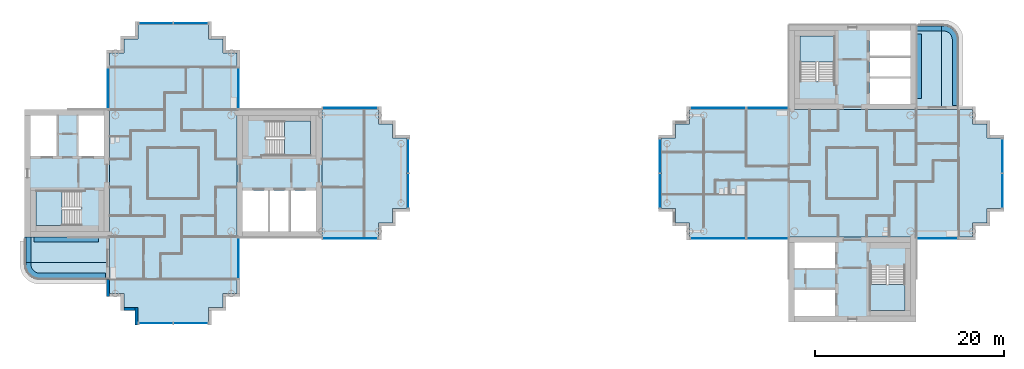
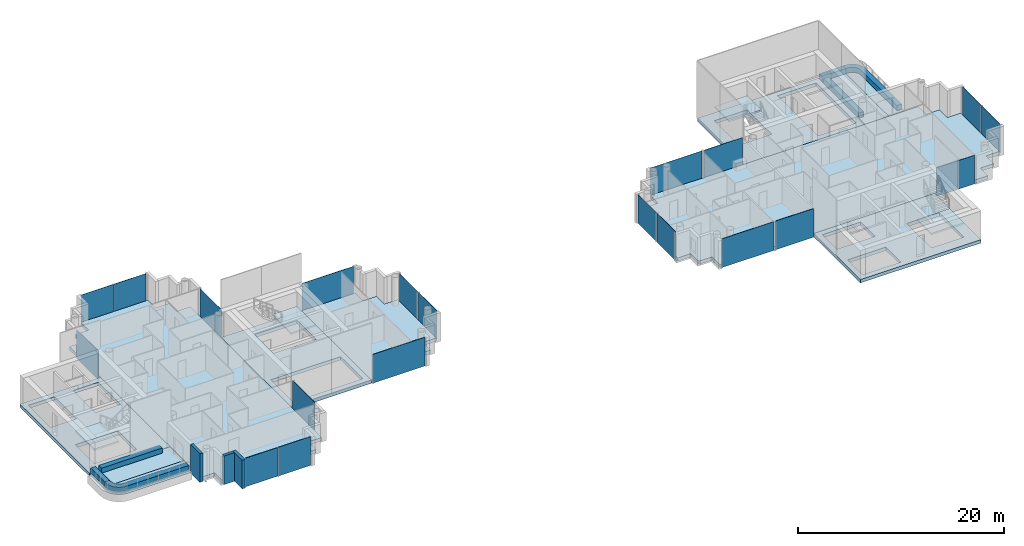
# One storey, part 5 of 18: 21 slabs, 20 plates, 3 walls, 19 elements without a shape of their own.
"""IFC4 building model written with IfcOpenShell, lengths in metres."""

from ifc_helpers import new_model, si_unit, direction, frame, frame_2d, origin, origin_2d, place, context, subcontext, project, spatial, polyline, rectangle, outline, extrude, material, layer, layer_set, type_object, element, aggregate, save


model = new_model("IFC4")

# Units and contexts
model_context = context("Model", 3, precision=1e-05, world=origin(), true_north=direction((0.0, 1.0)))
body_context = subcontext(model_context, "Body", "Model", "MODEL_VIEW")
ifc_project = project(units=[si_unit("LENGTHUNIT", "METRE"), si_unit("AREAUNIT", "SQUARE_METRE"), si_unit("VOLUMEUNIT", "CUBIC_METRE"), si_unit("PLANEANGLEUNIT", "RADIAN"), si_unit("MASSUNIT", "GRAM", prefix="KILO")], contexts=[model_context])

# Site, building, storey
site_placement = place(None, origin())
site = spatial("IfcSite", under=ifc_project, at=site_placement, CompositionType="ELEMENT")
building_placement = place(site_placement, origin())
building = spatial("IfcBuilding", under=site, at=building_placement, Name="Ipe Terrace Towers", CompositionType="ELEMENT")
storey_placement = place(building_placement, frame((0.0, 0.0, 219.800048828125)))
storey = spatial("IfcBuildingStorey", under=building, at=storey_placement, Name="L61", CompositionType="ELEMENT", Elevation=219.800048828125)

# Slabs
ifc_material_1 = material(Name="Concrete C30/37", Category="concrete")
ifc_layer_1 = layer(ifc_material_1, 0.199951171875)
ifc_layer_set_1 = layer_set([ifc_layer_1], Name="BALCONY SLAB 200")
slab_type_1 = type_object("IfcSlabType", Name="BALCONY SLAB 200", PredefinedType="FLOOR", material=ifc_layer_set_1)
slab_1_placement = place(storey_placement, frame((0.0, 0.0, -0.219970703125)))
element("IfcSlab", 1, at=slab_1_placement, inside=storey, type_object=slab_type_1, Name="balcony slab", PredefinedType="FLOOR", context=body_context, shape_type="SweptSolid", body=[
    extrude(outline(polyline([(-51.75, -6.75), (-51.75, -9.449951171875), (-42.75, -9.449951171875), (-42.75, -6.75), (-51.75, -6.75)])), origin(), (0.0, 0.0, 1.0), 0.199951171875),
])
slab_2_placement = place(storey_placement, frame((0.0, 0.0, -0.219970703125)))
element("IfcSlab", 2, at=slab_2_placement, inside=storey, type_object=slab_type_1, Name="balcony slab", PredefinedType="FLOOR", context=body_context, shape_type="SweptSolid", body=[
    extrude(outline(polyline([(-42.75, -11.25), (-42.75, -9.449951171875), (-51.75, -9.449951171875), (-51.75, -9.64990234375), (-51.736083984375, -9.85888671875), (-51.695068359375, -10.06396484375), (-51.6279296875, -10.261962890625), (-51.535888671875, -10.449951171875), (-51.4189453125, -10.6240234375), (-51.281005859375, -10.781005859375), (-51.1240234375, -10.9189453125), (-50.949951171875, -11.035888671875), (-50.761962890625, -11.1279296875), (-50.56396484375, -11.195068359375), (-50.35888671875, -11.236083984375), (-50.14990234375, -11.25), (-42.75, -11.25)])), origin(), (0.0, 0.0, 1.0), 0.199951171875),
])
slab_3_placement = place(storey_placement, frame((0.0, 0.0, -0.219970703125)))
element("IfcSlab", 3, at=slab_3_placement, inside=storey, type_object=slab_type_1, Name="balcony slab", PredefinedType="FLOOR", context=body_context, shape_type="SweptSolid", body=[
    extrude(outline(polyline([(42.75, 15.75), (42.75, 6.75), (45.449951171875, 6.75), (45.449951171875, 15.75), (42.75, 15.75)])), origin(), (0.0, 0.0, 1.0), 0.199951171875),
])
slab_4_placement = place(storey_placement, frame((0.0, 0.0, -0.219970703125)))
element("IfcSlab", 4, at=slab_4_placement, inside=storey, type_object=slab_type_1, Name="balcony slab", PredefinedType="FLOOR", context=body_context, shape_type="SweptSolid", body=[
    extrude(outline(polyline([(47.25, 6.75), (47.25, 14.14990234375), (47.236083984375, 14.35888671875), (47.195068359375, 14.56396484375), (47.1279296875, 14.761962890625), (47.035888671875, 14.949951171875), (46.9189453125, 15.1240234375), (46.781005859375, 15.281005859375), (46.6240234375, 15.4189453125), (46.449951171875, 15.535888671875), (46.261962890625, 15.6279296875), (46.06396484375, 15.695068359375), (45.85888671875, 15.736083984375), (45.64990234375, 15.75), (45.449951171875, 15.75), (45.449951171875, 6.75), (47.25, 6.75)])), origin(), (0.0, 0.0, 1.0), 0.199951171875),
])
ifc_material_2 = material(Name="Concrete C30/37", Category="concrete")
ifc_layer_2 = layer(ifc_material_2, 0.39990234375)
ifc_layer_set_2 = layer_set([ifc_layer_2], Name="CORE FLOOR SLAB 400 C30-37")
slab_type_2 = type_object("IfcSlabType", Name="CORE FLOOR SLAB 400 C30-37", PredefinedType="FLOOR", material=ifc_layer_set_2)
slab_5_placement = place(storey_placement, frame((0.0, 0.0, -0.400146484375)))
element("IfcSlab", 5, at=slab_5_placement, inside=storey, type_object=slab_type_2, Name="Core floor T1-C1", PredefinedType="FLOOR", context=body_context, shape_type="SweptSolid", body=[
    extrude(outline(polyline([(-29.25, -6.75), (-29.25, 6.75), (-20.25, 6.75), (-20.25, -6.75), (-29.25, -6.75)]), holes=[polyline([(-28.64990234375, -6.14990234375), (-20.85009765625, -6.14990234375), (-20.85009765625, -1.85009765625), (-28.64990234375, -1.85009765625), (-28.64990234375, -6.14990234375)]), polyline([(-26.199951171875, 5.550048828125), (-26.199951171875, 1.89990234375), (-21.449951171875, 1.89990234375), (-21.449951171875, 5.550048828125), (-26.199951171875, 5.550048828125)])]), origin(), (0.0, 0.0, 1.0), 0.400146484375),
])
slab_6_placement = place(storey_placement, frame((0.0, 0.0, -0.400146484375)))
element("IfcSlab", 6, at=slab_6_placement, inside=storey, type_object=slab_type_2, Name="Core floor T1-C2", PredefinedType="FLOOR", context=body_context, shape_type="SweptSolid", body=[
    extrude(outline(polyline([(-51.75, -6.75), (-51.75, 6.75), (-42.75, 6.75), (-42.75, -6.75), (-51.75, -6.75)]), holes=[polyline([(-45.800048828125, -1.89990234375), (-50.550048828125, -1.89990234375), (-50.550048828125, -5.550048828125), (-45.800048828125, -5.550048828125), (-45.800048828125, -1.89990234375)]), polyline([(-48.25, 1.85009765625), (-48.25, 6.14990234375), (-51.14990234375, 6.14990234375), (-51.14990234375, 1.85009765625), (-48.25, 1.85009765625)]), polyline([(-43.35009765625, 1.85009765625), (-43.35009765625, 6.14990234375), (-46.14990234375, 6.14990234375), (-46.14990234375, 1.85009765625), (-43.35009765625, 1.85009765625)])]), origin(), (0.0, 0.0, 1.0), 0.400146484375),
])
slab_7_placement = place(storey_placement, frame((0.0, 0.0, -0.400146484375)))
element("IfcSlab", 7, at=slab_7_placement, inside=storey, type_object=slab_type_2, Name="Core floor T2-C1", PredefinedType="FLOOR", context=body_context, shape_type="SweptSolid", body=[
    extrude(outline(polyline([(29.25, 6.75), (29.25, 15.75), (42.75, 15.75), (42.75, 6.75), (29.25, 6.75)]), holes=[polyline([(42.14990234375, 7.35009765625), (42.14990234375, 15.14990234375), (37.85009765625, 15.14990234375), (37.85009765625, 7.35009765625), (42.14990234375, 7.35009765625)]), polyline([(30.449951171875, 9.800048828125), (34.10009765625, 9.800048828125), (34.10009765625, 14.550048828125), (30.449951171875, 14.550048828125), (30.449951171875, 9.800048828125)])]), origin(), (0.0, 0.0, 1.0), 0.400146484375),
])
slab_8_placement = place(storey_placement, frame((0.0, 0.0, -0.400146484375)))
element("IfcSlab", 8, at=slab_8_placement, inside=storey, type_object=slab_type_2, Name="Core floor T2-C2", PredefinedType="FLOOR", context=body_context, shape_type="SweptSolid", body=[
    extrude(outline(polyline([(29.25, -15.75), (29.25, -6.75), (42.75, -6.75), (42.75, -15.75), (29.25, -15.75)]), holes=[polyline([(29.85009765625, -12.25), (29.85009765625, -15.14990234375), (34.14990234375, -15.14990234375), (34.14990234375, -12.25), (29.85009765625, -12.25)]), polyline([(41.550048828125, -9.800048828125), (37.89990234375, -9.800048828125), (37.89990234375, -14.550048828125), (41.550048828125, -14.550048828125), (41.550048828125, -9.800048828125)]), polyline([(34.14990234375, -7.35009765625), (29.85009765625, -7.35009765625), (29.85009765625, -10.14990234375), (34.14990234375, -10.14990234375), (34.14990234375, -7.35009765625)])]), origin(), (0.0, 0.0, 1.0), 0.400146484375),
])

# Stair, slab
ifc_material_3 = material(Name="Concrete C30/37", Category="concrete")
stair_type = type_object("IfcStairType", Name="Protected exit stair", PredefinedType="HALF_TURN_STAIR", material=ifc_material_3)
stair_1_placement = place(storey_placement, origin())
stair_1 = element("IfcStair", 9, at=stair_1_placement, inside=storey, type_object=stair_type, Name="L61 Exit stair T1-C1", PredefinedType="HALF_TURN_STAIR")
ifc_material_4 = material(Name="Concrete C30/37", Category="concrete")
ifc_layer_3 = layer(ifc_material_4, 0.199951171875)
ifc_layer_set_3 = layer_set([ifc_layer_3], Name="Exit stair landing 200")
slab_type_3 = type_object("IfcSlabType", Name="Exit stair landing 200", PredefinedType="LANDING", material=ifc_layer_set_3)
slab_9_placement = place(storey_placement, frame((0.0, 0.0, 1.5)))
slab_9 = element("IfcSlab", 10, at=slab_9_placement, type_object=slab_type_3, Name="T1-ST1 landing 1", PredefinedType="LANDING", context=body_context, shape_type="SweptSolid", body=[
    extrude(outline(polyline([(-24.219970703125, 1.89990234375), (-21.449951171875, 1.89990234375), (-21.449951171875, 5.550048828125), (-24.219970703125, 5.550048828125), (-24.219970703125, 1.89990234375)])), origin(), (0.0, 0.0, 1.0), 0.199951171875),
])
aggregate(stair_1, [slab_9])

stair_2_placement = place(storey_placement, origin())
stair_2 = element("IfcStair", 11, at=stair_2_placement, inside=storey, type_object=stair_type, Name="L61 Exit stair T1-C2", PredefinedType="HALF_TURN_STAIR")
slab_10_placement = place(storey_placement, frame((0.0, 0.0, 1.5)))
slab_10 = element("IfcSlab", 12, at=slab_10_placement, type_object=slab_type_3, Name="T1-ST2 landing 1", PredefinedType="LANDING", context=body_context, shape_type="SweptSolid", body=[
    extrude(outline(polyline([(-47.780029296875, -1.89990234375), (-50.550048828125, -1.89990234375), (-50.550048828125, -5.550048828125), (-47.780029296875, -5.550048828125), (-47.780029296875, -1.89990234375)])), origin(), (0.0, 0.0, 1.0), 0.199951171875),
])
aggregate(stair_2, [slab_10])

stair_3_placement = place(storey_placement, origin())
stair_3 = element("IfcStair", 13, at=stair_3_placement, inside=storey, type_object=stair_type, Name="L61 Exit stair T2-C1", PredefinedType="HALF_TURN_STAIR")
slab_11_placement = place(storey_placement, frame((0.0, 0.0, 1.5)))
slab_11 = element("IfcSlab", 14, at=slab_11_placement, type_object=slab_type_3, Name="T2-ST1 landing 1", PredefinedType="LANDING", context=body_context, shape_type="SweptSolid", body=[
    extrude(outline(polyline([(34.10009765625, 11.780029296875), (34.10009765625, 14.550048828125), (30.449951171875, 14.550048828125), (30.449951171875, 11.780029296875), (34.10009765625, 11.780029296875)])), origin(), (0.0, 0.0, 1.0), 0.199951171875),
])
aggregate(stair_3, [slab_11])

stair_4_placement = place(storey_placement, origin())
stair_4 = element("IfcStair", 15, at=stair_4_placement, inside=storey, type_object=stair_type, Name="L61 Exit stair T2-C2", PredefinedType="HALF_TURN_STAIR")
slab_12_placement = place(storey_placement, frame((0.0, 0.0, 1.5)))
slab_12 = element("IfcSlab", 16, at=slab_12_placement, type_object=slab_type_3, Name="T2-ST2 landing 1", PredefinedType="LANDING", context=body_context, shape_type="SweptSolid", body=[
    extrude(outline(polyline([(37.89990234375, -11.780029296875), (37.89990234375, -14.550048828125), (41.550048828125, -14.550048828125), (41.550048828125, -11.780029296875), (37.89990234375, -11.780029296875)])), origin(), (0.0, 0.0, 1.0), 0.199951171875),
])
aggregate(stair_4, [slab_12])

# Slabs
ifc_material_5 = material(Name="Concrete C40/50", Category="concrete")
ifc_layer_4 = layer(ifc_material_5, 0.39990234375)
ifc_layer_set_4 = layer_set([ifc_layer_4], Name="FLAT PLATE SLAB 400 C40-50")
slab_type_4 = type_object("IfcSlabType", Name="FLAT PLATE SLAB 400 C40-50", PredefinedType="FLOOR", material=ifc_layer_set_4)
slab_13_placement = place(storey_placement, frame((0.0, 0.0, -0.400146484375)))
element("IfcSlab", 17, at=slab_13_placement, inside=storey, type_object=slab_type_4, Name="Slab T1-FS-Z41", PredefinedType="FLOOR", context=body_context, shape_type="SweptSolid", body=[
    extrude(outline(polyline([(-30.75, -12.75), (-30.75, -14.25), (-32.25, -14.25), (-32.25, -15.75), (-39.75, -15.75), (-39.75, -14.25), (-41.25, -14.25), (-41.25, -12.75), (-42.75, -12.75), (-42.75, -6.75), (-42.75, 6.75), (-42.75, 12.75), (-41.25, 12.75), (-41.25, 14.25), (-39.75, 14.25), (-39.75, 15.75), (-32.25, 15.75), (-32.25, 14.25), (-30.75, 14.25), (-30.75, 12.75), (-29.25, 12.75), (-29.25, 6.75), (-29.25, -6.75), (-29.25, -12.75), (-30.75, -12.75)])), origin(), (0.0, 0.0, 1.0), 0.400146484375),
])
slab_14_placement = place(storey_placement, frame((0.0, 0.0, -0.400146484375)))
element("IfcSlab", 18, at=slab_14_placement, inside=storey, type_object=slab_type_4, Name="Slab T1-FS-Z42", PredefinedType="FLOOR", context=body_context, shape_type="SweptSolid", body=[
    extrude(outline(polyline([(-14.25, 5.25), (-12.75, 5.25), (-12.75, 3.75), (-11.25, 3.75), (-11.25, -3.75), (-12.75, -3.75), (-12.75, -5.25), (-14.25, -5.25), (-14.25, -6.75), (-20.25, -6.75), (-20.25, 6.75), (-14.25, 6.75), (-14.25, 5.25)])), origin(), (0.0, 0.0, 1.0), 0.400146484375),
])
slab_15_placement = place(storey_placement, frame((0.0, 0.0, -0.400146484375)))
element("IfcSlab", 19, at=slab_15_placement, inside=storey, type_object=slab_type_4, Name="Slab T2-FS-Z41", PredefinedType="FLOOR", context=body_context, shape_type="SweptSolid", body=[
    extrude(outline(polyline([(48.75, 5.25), (50.25, 5.25), (50.25, 3.75), (51.75, 3.75), (51.75, -3.75), (50.25, -3.75), (50.25, -5.25), (48.75, -5.25), (48.75, -6.75), (42.75, -6.75), (29.25, -6.75), (18.75, -6.75), (18.75, -5.25), (17.25, -5.25), (17.25, -3.75), (15.75, -3.75), (15.75, 3.75), (17.25, 3.75), (17.25, 5.25), (18.75, 5.25), (18.75, 6.75), (29.25, 6.75), (42.75, 6.75), (48.75, 6.75), (48.75, 5.25)])), origin(), (0.0, 0.0, 1.0), 0.400146484375),
])
ifc_material_6 = material(Name="Concrete C30/37", Category="concrete")
ifc_layer_5 = layer(ifc_material_6, 0.60009765625)
ifc_layer_set_5 = layer_set([ifc_layer_5], Name="PLANTER TROUGH 550 x 600")
slab_type_5 = type_object("IfcSlabType", Name="PLANTER TROUGH 550 x 600", PredefinedType="USERDEFINED", material=ifc_layer_set_5)
slab_16_placement = place(storey_placement, frame((0.0, 0.0, -0.02001953125)))
element("IfcSlab", 20, at=slab_16_placement, inside=storey, type_object=slab_type_5, Name="planter", ObjectType="PLANTER", PredefinedType="USERDEFINED", context=body_context, shape_type="SweptSolid", body=[
    extrude(outline(polyline([(-51.639892578125, -6.75), (-51.639892578125, -9.449951171875), (-51.090087890625, -9.449951171875), (-51.090087890625, -6.75), (-51.639892578125, -6.75)])), origin(), (0.0, 0.0, 1.0), 0.599853515625),
])
slab_17_placement = place(storey_placement, frame((0.0, 0.0, -0.02001953125)))
element("IfcSlab", 21, at=slab_17_placement, inside=storey, type_object=slab_type_5, Name="planter", ObjectType="PLANTER", PredefinedType="USERDEFINED", context=body_context, shape_type="SweptSolid", body=[
    extrude(outline(polyline([(-51.056884765625, -9.89306640625), (-51.0810546875, -9.77294921875), (-51.090087890625, -9.6279296875), (-51.090087890625, -9.449951171875), (-51.639892578125, -9.449951171875), (-51.639892578125, -9.636962890625), (-51.638916015625, -9.655029296875), (-51.6279296875, -9.825927734375), (-51.6240234375, -9.862060546875), (-51.593017578125, -10.01806640625), (-51.5830078125, -10.052978515625), (-51.531982421875, -10.202880859375), (-51.51806640625, -10.236083984375), (-51.447998046875, -10.37890625), (-51.429931640625, -10.409912109375), (-51.342041015625, -10.5419921875), (-51.320068359375, -10.570068359375), (-51.215087890625, -10.68994140625), (-51.18994140625, -10.715087890625), (-51.070068359375, -10.820068359375), (-51.0419921875, -10.842041015625), (-50.909912109375, -10.929931640625), (-50.87890625, -10.947998046875), (-50.736083984375, -11.01806640625), (-50.702880859375, -11.031982421875), (-50.552978515625, -11.0830078125), (-50.51806640625, -11.093017578125), (-50.362060546875, -11.1240234375), (-50.325927734375, -11.1279296875), (-50.155029296875, -11.138916015625), (-50.136962890625, -11.139892578125), (-43.199951171875, -11.139892578125), (-43.199951171875, -10.590087890625), (-50.1279296875, -10.590087890625), (-50.27294921875, -10.5810546875), (-50.39306640625, -10.556884765625), (-50.509033203125, -10.51708984375), (-50.618896484375, -10.462890625), (-50.720947265625, -10.39501953125), (-50.81396484375, -10.31396484375), (-50.89501953125, -10.220947265625), (-50.962890625, -10.118896484375), (-51.01708984375, -10.009033203125), (-51.056884765625, -9.89306640625)])), origin(), (0.0, 0.0, 1.0), 0.599853515625),
])
slab_18_placement = place(storey_placement, frame((0.0, 0.0, -0.02001953125)))
element("IfcSlab", 22, at=slab_18_placement, inside=storey, type_object=slab_type_5, Name="planter", ObjectType="PLANTER", PredefinedType="USERDEFINED", context=body_context, shape_type="SweptSolid", body=[
    extrude(outline(polyline([(-43.949951171875, -6.75), (-50.75, -6.75), (-50.75, -7.300048828125), (-43.949951171875, -7.300048828125), (-43.949951171875, -6.75)])), origin(), (0.0, 0.0, 1.0), 0.599853515625),
])
slab_19_placement = place(storey_placement, frame((0.0, 0.0, -0.02001953125)))
element("IfcSlab", 23, at=slab_19_placement, inside=storey, type_object=slab_type_5, Name="planter", ObjectType="PLANTER", PredefinedType="USERDEFINED", context=body_context, shape_type="SweptSolid", body=[
    extrude(outline(polyline([(42.75, 15.639892578125), (42.75, 15.090087890625), (45.449951171875, 15.090087890625), (45.449951171875, 15.639892578125), (42.75, 15.639892578125)])), origin(), (0.0, 0.0, 1.0), 0.599853515625),
])
slab_20_placement = place(storey_placement, frame((0.0, 0.0, -0.02001953125)))
element("IfcSlab", 24, at=slab_20_placement, inside=storey, type_object=slab_type_5, Name="planter", ObjectType="PLANTER", PredefinedType="USERDEFINED", context=body_context, shape_type="SweptSolid", body=[
    extrude(outline(polyline([(45.89306640625, 15.056884765625), (46.009033203125, 15.01708984375), (46.118896484375, 14.962890625), (46.220947265625, 14.89501953125), (46.31396484375, 14.81396484375), (46.39501953125, 14.720947265625), (46.462890625, 14.618896484375), (46.51708984375, 14.509033203125), (46.556884765625, 14.39306640625), (46.5810546875, 14.27294921875), (46.590087890625, 14.1279296875), (46.590087890625, 7.199951171875), (47.139892578125, 7.199951171875), (47.139892578125, 14.136962890625), (47.138916015625, 14.155029296875), (47.1279296875, 14.325927734375), (47.1240234375, 14.362060546875), (47.093017578125, 14.51806640625), (47.0830078125, 14.552978515625), (47.031982421875, 14.702880859375), (47.01806640625, 14.736083984375), (46.947998046875, 14.87890625), (46.929931640625, 14.909912109375), (46.842041015625, 15.0419921875), (46.820068359375, 15.070068359375), (46.715087890625, 15.18994140625), (46.68994140625, 15.215087890625), (46.570068359375, 15.320068359375), (46.5419921875, 15.342041015625), (46.409912109375, 15.429931640625), (46.37890625, 15.447998046875), (46.236083984375, 15.51806640625), (46.202880859375, 15.531982421875), (46.052978515625, 15.5830078125), (46.01806640625, 15.593017578125), (45.862060546875, 15.6240234375), (45.825927734375, 15.6279296875), (45.655029296875, 15.638916015625), (45.636962890625, 15.639892578125), (45.449951171875, 15.639892578125), (45.449951171875, 15.090087890625), (45.6279296875, 15.090087890625), (45.77294921875, 15.0810546875), (45.89306640625, 15.056884765625)])), origin(), (0.0, 0.0, 1.0), 0.599853515625),
])
slab_21_placement = place(storey_placement, frame((0.0, 0.0, -0.02001953125)))
element("IfcSlab", 25, at=slab_21_placement, inside=storey, type_object=slab_type_5, Name="planter", ObjectType="PLANTER", PredefinedType="USERDEFINED", context=body_context, shape_type="SweptSolid", body=[
    extrude(outline(polyline([(42.75, 7.949951171875), (43.300048828125, 7.949951171875), (43.300048828125, 14.75), (42.75, 14.75), (42.75, 7.949951171875)])), origin(), (0.0, 0.0, 1.0), 0.599853515625),
])

# Curtain wall, plates
ifc_material_7 = material(Name="Aluminium alloy 6063-T6", Category="aluminium")
ifc_layer_6 = layer(ifc_material_7, 0.320068359375)
ifc_layer_set_6 = layer_set([ifc_layer_6], Name="TOWER UNITISED CURTAIN WALL")
curtain_wall_type = type_object("IfcCurtainWallType", Name="TOWER UNITISED CURTAIN WALL", PredefinedType="NOTDEFINED", material=ifc_layer_set_6)
curtain_wall_1_placement = place(storey_placement, origin())
curtain_wall_1 = element("IfcCurtainWall", 26, at=curtain_wall_1_placement, inside=storey, type_object=curtain_wall_type, Name="T1-CW-L61-08a curtain wall", PredefinedType="NOTDEFINED")
ifc_material_8 = material(Name="Glass, clear laminated", Category="glass")
ifc_layer_7 = layer(ifc_material_8, 0.031982421875)
ifc_layer_set_7 = layer_set([ifc_layer_7], Name="TOWER UNITISED GLASS PANEL 32")
plate_type = type_object("IfcPlateType", Name="TOWER UNITISED GLASS PANEL 32", PredefinedType="CURTAIN_PANEL", material=ifc_layer_set_7)
plate_1_placement = place(storey_placement, frame((-37.831298828125, -15.909912109375, -0.300048828125), z_axis=(0.0, 0.0, 1.0), x_axis=(1.0, 0.0, 0.0)))
plate_1 = element("IfcPlate", 27, at=plate_1_placement, type_object=plate_type, Name="T1-CW-L61-08a panel 1", PredefinedType="CURTAIN_PANEL", context=body_context, shape_type="SweptSolid", body=[
    extrude(rectangle(XDim=3.597412109375, YDim=0.031982421875, at=origin_2d()), origin(), (0.0, 0.0, 1.0), 3.39990234375),
])
plate_2_placement = place(storey_placement, frame((-34.168701171875, -15.909912109375, -0.300048828125), z_axis=(0.0, 0.0, 1.0), x_axis=(1.0, 0.0, 0.0)))
plate_2 = element("IfcPlate", 28, at=plate_2_placement, type_object=plate_type, Name="T1-CW-L61-08a panel 2", PredefinedType="CURTAIN_PANEL", context=body_context, shape_type="SweptSolid", body=[
    extrude(rectangle(XDim=3.597412109375, YDim=0.031982421875, at=origin_2d()), origin(), (0.0, 0.0, 1.0), 3.39990234375),
])
aggregate(curtain_wall_1, [plate_1, plate_2])

# Curtain wall, plate
curtain_wall_2_placement = place(storey_placement, origin())
curtain_wall_2 = element("IfcCurtainWall", 29, at=curtain_wall_2_placement, inside=storey, type_object=curtain_wall_type, Name="T1-CW-L61-14a curtain wall", PredefinedType="NOTDEFINED")
plate_3_placement = place(storey_placement, frame((-29.090087890625, -9.0, -0.300048828125), z_axis=(0.0, 0.0, 1.0), x_axis=(0.0, 1.0, 0.0)))
plate_3 = element("IfcPlate", 30, at=plate_3_placement, type_object=plate_type, Name="T1-CW-L61-14a panel 1", PredefinedType="CURTAIN_PANEL", context=body_context, shape_type="SweptSolid", body=[
    extrude(rectangle(XDim=4.260009765625, YDim=0.031982421875, at=origin_2d()), origin(), (0.0, 0.0, 1.0), 3.39990234375),
])
aggregate(curtain_wall_2, [plate_3])

curtain_wall_3_placement = place(storey_placement, origin())
curtain_wall_3 = element("IfcCurtainWall", 31, at=curtain_wall_3_placement, inside=storey, type_object=curtain_wall_type, Name="T1-CW-L61-16b curtain wall", PredefinedType="NOTDEFINED")
plate_4_placement = place(storey_placement, frame((-17.24951171875, -6.909912109375, -0.300048828125), z_axis=(0.0, 0.0, 1.0), x_axis=(1.0, 0.0, 0.0)))
plate_4 = element("IfcPlate", 32, at=plate_4_placement, type_object=plate_type, Name="T1-CW-L61-16b panel 1", PredefinedType="CURTAIN_PANEL", context=body_context, shape_type="SweptSolid", body=[
    extrude(rectangle(XDim=5.759033203125, YDim=0.031982421875, at=origin_2d()), origin(), (0.0, 0.0, 1.0), 3.39990234375),
])
aggregate(curtain_wall_3, [plate_4])

# Curtain wall, plates
curtain_wall_4_placement = place(storey_placement, origin())
curtain_wall_4 = element("IfcCurtainWall", 33, at=curtain_wall_4_placement, inside=storey, type_object=curtain_wall_type, Name="T1-CW-L61-21a curtain wall", PredefinedType="NOTDEFINED")
plate_5_placement = place(storey_placement, frame((-11.090087890625, -1.831298828125, -0.300048828125), z_axis=(0.0, 0.0, 1.0), x_axis=(0.0, 1.0, 0.0)))
plate_5 = element("IfcPlate", 34, at=plate_5_placement, type_object=plate_type, Name="T1-CW-L61-21a panel 1", PredefinedType="CURTAIN_PANEL", context=body_context, shape_type="SweptSolid", body=[
    extrude(rectangle(XDim=3.597412109375, YDim=0.031982421875, at=origin_2d()), origin(), (0.0, 0.0, 1.0), 3.39990234375),
])
plate_6_placement = place(storey_placement, frame((-11.090087890625, 1.831298828125, -0.300048828125), z_axis=(0.0, 0.0, 1.0), x_axis=(0.0, 1.0, 0.0)))
plate_6 = element("IfcPlate", 35, at=plate_6_placement, type_object=plate_type, Name="T1-CW-L61-21a panel 2", PredefinedType="CURTAIN_PANEL", context=body_context, shape_type="SweptSolid", body=[
    extrude(rectangle(XDim=3.597412109375, YDim=0.031982421875, at=origin_2d()), origin(), (0.0, 0.0, 1.0), 3.39990234375),
])
aggregate(curtain_wall_4, [plate_5, plate_6])

# Curtain wall, plate
curtain_wall_5_placement = place(storey_placement, origin())
curtain_wall_5 = element("IfcCurtainWall", 36, at=curtain_wall_5_placement, inside=storey, type_object=curtain_wall_type, Name="T1-CW-L61-26a curtain wall", PredefinedType="NOTDEFINED")
plate_7_placement = place(storey_placement, frame((-17.24951171875, 6.909912109375, -0.300048828125), z_axis=(0.0, 0.0, 1.0), x_axis=(-1.0, 0.0, 0.0)))
plate_7 = element("IfcPlate", 37, at=plate_7_placement, type_object=plate_type, Name="T1-CW-L61-26a panel 1", PredefinedType="CURTAIN_PANEL", context=body_context, shape_type="SweptSolid", body=[
    extrude(rectangle(XDim=5.759033203125, YDim=0.031982421875, at=origin_2d()), origin(), (0.0, 0.0, 1.0), 3.39990234375),
])
aggregate(curtain_wall_5, [plate_7])

curtain_wall_6_placement = place(storey_placement, origin())
curtain_wall_6 = element("IfcCurtainWall", 38, at=curtain_wall_6_placement, inside=storey, type_object=curtain_wall_type, Name="T1-CW-L61-28a curtain wall", PredefinedType="NOTDEFINED")
plate_8_placement = place(storey_placement, frame((-29.090087890625, 9.0, -0.300048828125), z_axis=(0.0, 0.0, 1.0), x_axis=(0.0, 1.0, 0.0)))
plate_8 = element("IfcPlate", 39, at=plate_8_placement, type_object=plate_type, Name="T1-CW-L61-28a panel 1", PredefinedType="CURTAIN_PANEL", context=body_context, shape_type="SweptSolid", body=[
    extrude(rectangle(XDim=4.260009765625, YDim=0.031982421875, at=origin_2d()), origin(), (0.0, 0.0, 1.0), 3.39990234375),
])
aggregate(curtain_wall_6, [plate_8])

# Curtain wall, plates
curtain_wall_7_placement = place(storey_placement, origin())
curtain_wall_7 = element("IfcCurtainWall", 40, at=curtain_wall_7_placement, inside=storey, type_object=curtain_wall_type, Name="T1-CW-L61-34a curtain wall", PredefinedType="NOTDEFINED")
plate_9_placement = place(storey_placement, frame((-34.168701171875, 15.909912109375, -0.300048828125), z_axis=(0.0, 0.0, 1.0), x_axis=(-1.0, 0.0, 0.0)))
plate_9 = element("IfcPlate", 41, at=plate_9_placement, type_object=plate_type, Name="T1-CW-L61-34a panel 1", PredefinedType="CURTAIN_PANEL", context=body_context, shape_type="SweptSolid", body=[
    extrude(rectangle(XDim=3.597412109375, YDim=0.031982421875, at=origin_2d()), origin(), (0.0, 0.0, 1.0), 3.39990234375),
])
plate_10_placement = place(storey_placement, frame((-37.831298828125, 15.909912109375, -0.300048828125), z_axis=(0.0, 0.0, 1.0), x_axis=(-1.0, 0.0, 0.0)))
plate_10 = element("IfcPlate", 42, at=plate_10_placement, type_object=plate_type, Name="T1-CW-L61-34a panel 2", PredefinedType="CURTAIN_PANEL", context=body_context, shape_type="SweptSolid", body=[
    extrude(rectangle(XDim=3.597412109375, YDim=0.031982421875, at=origin_2d()), origin(), (0.0, 0.0, 1.0), 3.39990234375),
])
aggregate(curtain_wall_7, [plate_9, plate_10])

# Curtain wall, plate
curtain_wall_8_placement = place(storey_placement, origin())
curtain_wall_8 = element("IfcCurtainWall", 43, at=curtain_wall_8_placement, inside=storey, type_object=curtain_wall_type, Name="T1-CW-L61-40a curtain wall", PredefinedType="NOTDEFINED")
plate_11_placement = place(storey_placement, frame((-42.909912109375, 9.0, -0.300048828125), z_axis=(0.0, 0.0, 1.0), x_axis=(0.0, -1.0, 0.0)))
plate_11 = element("IfcPlate", 44, at=plate_11_placement, type_object=plate_type, Name="T1-CW-L61-40a panel 1", PredefinedType="CURTAIN_PANEL", context=body_context, shape_type="SweptSolid", body=[
    extrude(rectangle(XDim=4.260009765625, YDim=0.031982421875, at=origin_2d()), origin(), (0.0, 0.0, 1.0), 3.39990234375),
])
aggregate(curtain_wall_8, [plate_11])

curtain_wall_9_placement = place(storey_placement, origin())
curtain_wall_9 = element("IfcCurtainWall", 45, at=curtain_wall_9_placement, inside=storey, type_object=curtain_wall_type, Name="T2-CW-L61-02a curtain wall", PredefinedType="NOTDEFINED")
plate_12_placement = place(storey_placement, frame((45.0, -6.909912109375, -0.300048828125), z_axis=(0.0, 0.0, 1.0), x_axis=(1.0, 0.0, 0.0)))
plate_12 = element("IfcPlate", 46, at=plate_12_placement, type_object=plate_type, Name="T2-CW-L61-02a panel 1", PredefinedType="CURTAIN_PANEL", context=body_context, shape_type="SweptSolid", body=[
    extrude(rectangle(XDim=4.260009765625, YDim=0.031982421875, at=origin_2d()), origin(), (0.0, 0.0, 1.0), 3.39990234375),
])
aggregate(curtain_wall_9, [plate_12])

# Curtain wall, plates
curtain_wall_10_placement = place(storey_placement, origin())
curtain_wall_10 = element("IfcCurtainWall", 47, at=curtain_wall_10_placement, inside=storey, type_object=curtain_wall_type, Name="T2-CW-L61-08a curtain wall", PredefinedType="NOTDEFINED")
plate_13_placement = place(storey_placement, frame((51.909912109375, -1.831298828125, -0.300048828125), z_axis=(0.0, 0.0, 1.0), x_axis=(0.0, 1.0, 0.0)))
plate_13 = element("IfcPlate", 48, at=plate_13_placement, type_object=plate_type, Name="T2-CW-L61-08a panel 1", PredefinedType="CURTAIN_PANEL", context=body_context, shape_type="SweptSolid", body=[
    extrude(rectangle(XDim=3.597412109375, YDim=0.031982421875, at=origin_2d()), origin(), (0.0, 0.0, 1.0), 3.39990234375),
])
plate_14_placement = place(storey_placement, frame((51.909912109375, 1.831298828125, -0.300048828125), z_axis=(0.0, 0.0, 1.0), x_axis=(0.0, 1.0, 0.0)))
plate_14 = element("IfcPlate", 49, at=plate_14_placement, type_object=plate_type, Name="T2-CW-L61-08a panel 2", PredefinedType="CURTAIN_PANEL", context=body_context, shape_type="SweptSolid", body=[
    extrude(rectangle(XDim=3.597412109375, YDim=0.031982421875, at=origin_2d()), origin(), (0.0, 0.0, 1.0), 3.39990234375),
])
aggregate(curtain_wall_10, [plate_13, plate_14])

# Curtain wall, plate
curtain_wall_11_placement = place(storey_placement, origin())
curtain_wall_11 = element("IfcCurtainWall", 50, at=curtain_wall_11_placement, inside=storey, type_object=curtain_wall_type, Name="T2-CW-L61-20a curtain wall", PredefinedType="NOTDEFINED")
plate_15_placement = place(storey_placement, frame((27.0, 6.909912109375, -0.300048828125), z_axis=(0.0, 0.0, 1.0), x_axis=(-1.0, 0.0, 0.0)))
plate_15 = element("IfcPlate", 51, at=plate_15_placement, type_object=plate_type, Name="T2-CW-L61-20a panel 1", PredefinedType="CURTAIN_PANEL", context=body_context, shape_type="SweptSolid", body=[
    extrude(rectangle(XDim=4.260009765625, YDim=0.031982421875, at=origin_2d()), origin(), (0.0, 0.0, 1.0), 3.39990234375),
])
aggregate(curtain_wall_11, [plate_15])

curtain_wall_12_placement = place(storey_placement, origin())
curtain_wall_12 = element("IfcCurtainWall", 52, at=curtain_wall_12_placement, inside=storey, type_object=curtain_wall_type, Name="T2-CW-L61-21a curtain wall", PredefinedType="NOTDEFINED")
plate_16_placement = place(storey_placement, frame((21.75, 6.909912109375, -0.300048828125), z_axis=(0.0, 0.0, 1.0), x_axis=(-1.0, 0.0, 0.0)))
plate_16 = element("IfcPlate", 53, at=plate_16_placement, type_object=plate_type, Name="T2-CW-L61-21a panel 1", PredefinedType="CURTAIN_PANEL", context=body_context, shape_type="SweptSolid", body=[
    extrude(rectangle(XDim=5.760009765625, YDim=0.031982421875, at=origin_2d()), origin(), (0.0, 0.0, 1.0), 3.39990234375),
])
aggregate(curtain_wall_12, [plate_16])

# Curtain wall, plates
curtain_wall_13_placement = place(storey_placement, origin())
curtain_wall_13 = element("IfcCurtainWall", 54, at=curtain_wall_13_placement, inside=storey, type_object=curtain_wall_type, Name="T2-CW-L61-26a curtain wall", PredefinedType="NOTDEFINED")
plate_17_placement = place(storey_placement, frame((15.590087890625, 1.831298828125, -0.300048828125), z_axis=(0.0, 0.0, 1.0), x_axis=(0.0, -1.0, 0.0)))
plate_17 = element("IfcPlate", 55, at=plate_17_placement, type_object=plate_type, Name="T2-CW-L61-26a panel 1", PredefinedType="CURTAIN_PANEL", context=body_context, shape_type="SweptSolid", body=[
    extrude(rectangle(XDim=3.597412109375, YDim=0.031982421875, at=origin_2d()), origin(), (0.0, 0.0, 1.0), 3.39990234375),
])
plate_18_placement = place(storey_placement, frame((15.590087890625, -1.831298828125, -0.300048828125), z_axis=(0.0, 0.0, 1.0), x_axis=(0.0, -1.0, 0.0)))
plate_18 = element("IfcPlate", 56, at=plate_18_placement, type_object=plate_type, Name="T2-CW-L61-26a panel 2", PredefinedType="CURTAIN_PANEL", context=body_context, shape_type="SweptSolid", body=[
    extrude(rectangle(XDim=3.597412109375, YDim=0.031982421875, at=origin_2d()), origin(), (0.0, 0.0, 1.0), 3.39990234375),
])
aggregate(curtain_wall_13, [plate_17, plate_18])

# Curtain wall, plate
curtain_wall_14_placement = place(storey_placement, origin())
curtain_wall_14 = element("IfcCurtainWall", 57, at=curtain_wall_14_placement, inside=storey, type_object=curtain_wall_type, Name="T2-CW-L61-31a curtain wall", PredefinedType="NOTDEFINED")
plate_19_placement = place(storey_placement, frame((21.75, -6.909912109375, -0.300048828125), z_axis=(0.0, 0.0, 1.0), x_axis=(1.0, 0.0, 0.0)))
plate_19 = element("IfcPlate", 58, at=plate_19_placement, type_object=plate_type, Name="T2-CW-L61-31a panel 1", PredefinedType="CURTAIN_PANEL", context=body_context, shape_type="SweptSolid", body=[
    extrude(rectangle(XDim=5.760009765625, YDim=0.031982421875, at=origin_2d()), origin(), (0.0, 0.0, 1.0), 3.39990234375),
])
aggregate(curtain_wall_14, [plate_19])

curtain_wall_15_placement = place(storey_placement, origin())
curtain_wall_15 = element("IfcCurtainWall", 59, at=curtain_wall_15_placement, inside=storey, type_object=curtain_wall_type, Name="T2-CW-L61-32a curtain wall", PredefinedType="NOTDEFINED")
plate_20_placement = place(storey_placement, frame((27.0, -6.909912109375, -0.300048828125), z_axis=(0.0, 0.0, 1.0), x_axis=(1.0, 0.0, 0.0)))
plate_20 = element("IfcPlate", 60, at=plate_20_placement, type_object=plate_type, Name="T2-CW-L61-32a panel 1", PredefinedType="CURTAIN_PANEL", context=body_context, shape_type="SweptSolid", body=[
    extrude(rectangle(XDim=4.260009765625, YDim=0.031982421875, at=origin_2d()), origin(), (0.0, 0.0, 1.0), 3.39990234375),
])
aggregate(curtain_wall_15, [plate_20])

# Walls
ifc_material_9 = material(Name="Concrete C40/50 with buff precast cladding", Category="concrete")
ifc_layer_8 = layer(ifc_material_9, 0.320068359375)
ifc_layer_set_8 = layer_set([ifc_layer_8], Name="BUFF CLADDING WALL 320")
wall_type = type_object("IfcWallType", Name="BUFF CLADDING WALL 320", PredefinedType="STANDARD", material=ifc_layer_set_8)
wall_1_placement = place(storey_placement, frame((-42.909912109375, -11.25, -0.300048828125), z_axis=(0.0, 0.0, 1.0), x_axis=(0.0, -1.0, 0.0)))
element("IfcWall", 61, at=wall_1_placement, inside=storey, type_object=wall_type, Name="T1-W-L61-03a wall", PredefinedType="STANDARD", context=body_context, shape_type="SweptSolid", body=[
    extrude(rectangle(XDim=1.820068359375, YDim=0.320068359375, at=frame_2d((0.91015625, 0.0))), origin(), (0.0, 0.0, 1.0), 3.39990234375),
])
wall_2_placement = place(storey_placement, frame((-41.25, -14.409912109375, -0.300048828125), z_axis=(0.0, 0.0, 1.0), x_axis=(1.0, 0.0, 0.0)))
element("IfcWall", 62, at=wall_2_placement, inside=storey, type_object=wall_type, Name="T1-W-L61-06a wall", PredefinedType="STANDARD", context=body_context, shape_type="SweptSolid", body=[
    extrude(rectangle(XDim=1.179931640625, YDim=0.320068359375, at=frame_2d((0.58984375, 0.0))), origin(), (0.0, 0.0, 1.0), 3.39990234375),
])
wall_3_placement = place(storey_placement, frame((-39.909912109375, -14.25, -0.300048828125), z_axis=(0.0, 0.0, 1.0), x_axis=(0.0, -1.0, 0.0)))
element("IfcWall", 63, at=wall_3_placement, inside=storey, type_object=wall_type, Name="T1-W-L61-07a wall", PredefinedType="STANDARD", context=body_context, shape_type="SweptSolid", body=[
    extrude(rectangle(XDim=1.820068359375, YDim=0.320068359375, at=frame_2d((0.91015625, 0.0))), origin(), (0.0, 0.0, 1.0), 3.39990234375),
])

save(model, "model.ifc")
